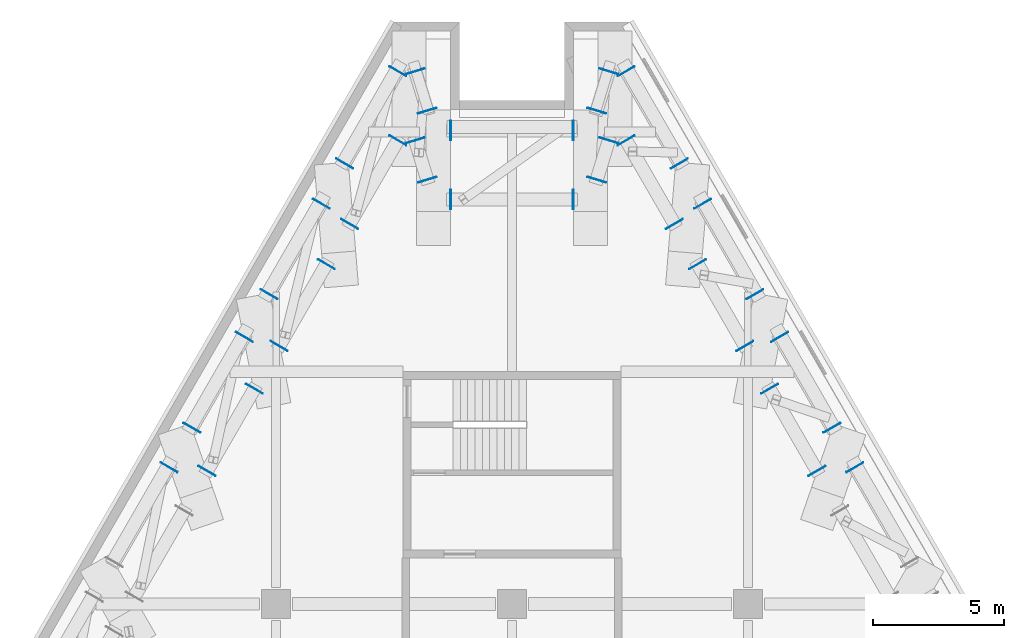
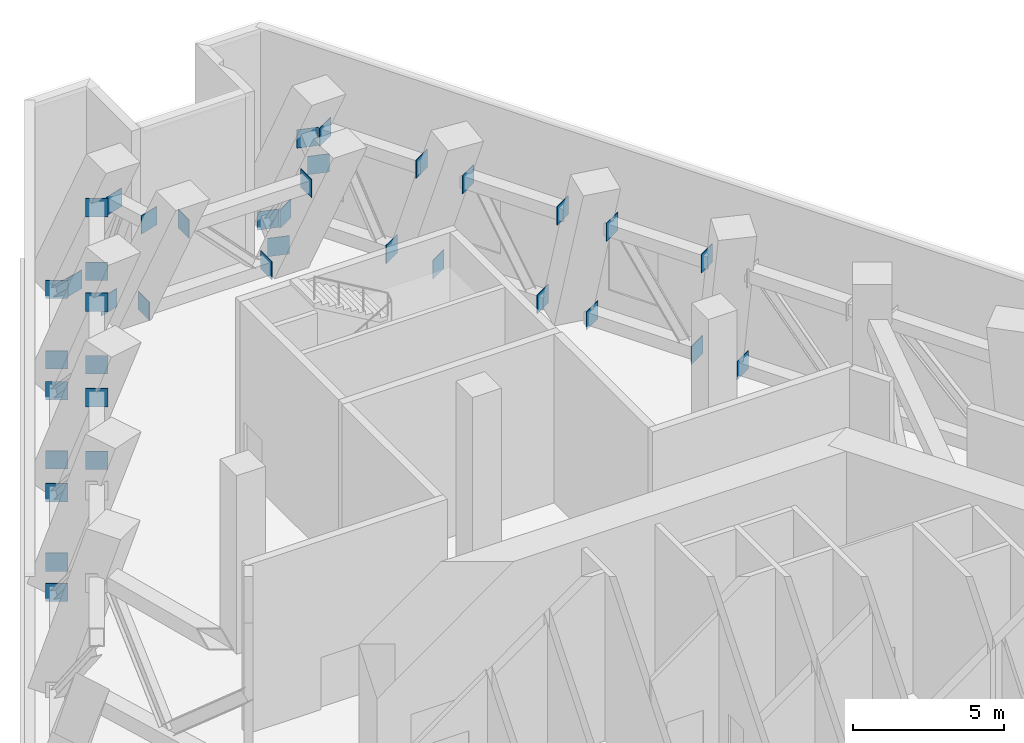
# One storey, part 12 of 13: 38 discrete accessories.
"""IFC4 building model written with IfcOpenShell, lengths in metres."""

from ifc_helpers import new_model, si_unit, direction, frame, origin, origin_2d, place, context, subcontext, project, spatial, rectangle, extrude, material, layer, layer_set, type_object, element, save


model = new_model("IFC4")

# Units and contexts
model_context = context("Model", 3, precision=1e-05, world=origin(), true_north=direction((0.0, 1.0)))
body_context = subcontext(model_context, "Body", "Model", "MODEL_VIEW")
ifc_project = project(units=[si_unit("LENGTHUNIT", "METRE"), si_unit("AREAUNIT", "SQUARE_METRE"), si_unit("VOLUMEUNIT", "CUBIC_METRE"), si_unit("PLANEANGLEUNIT", "RADIAN"), si_unit("MASSUNIT", "GRAM", prefix="KILO")], contexts=[model_context])

# Site, building, storey
site_placement = place(None, origin())
site = spatial("IfcSite", under=ifc_project, at=site_placement, CompositionType="ELEMENT")
building_placement = place(site_placement, origin())
building = spatial("IfcBuilding", under=site, at=building_placement, Name="Fogline Exchange Tower", CompositionType="ELEMENT")
storey_placement = place(building_placement, frame((0.0, 0.0, 174.89990234375)))
storey = spatial("IfcBuildingStorey", under=building, at=storey_placement, Name="L39", CompositionType="ELEMENT", Elevation=174.89990234375)

# Discrete accessories
ifc_material = material(Name="Steel Q355B", Category="steel")
ifc_layer = layer(ifc_material, 0.02490234375)
ifc_layer_set = layer_set([ifc_layer], Name="BE02")
discrete_accessory_type = type_object("IfcDiscreteAccessoryType", Name="BE02", PredefinedType="USERDEFINED", material=ifc_layer_set)
for number, where, z_axis, x_axis, name in (
    (1, (13.0771484375, 32.206298828125, -0.1201171875), (0.0, 0.0, 1.0), (-0.5, 0.866025403784, 0.0), "Belt truss chord end plate BT12-1-BC"),
    (2, (12.204833984375, 33.71728515625, -0.1201171875), (0.0, 0.0, 1.0), (0.5, -0.866025403784, 0.0), "Belt truss chord end plate BT13-1-BC"),
    (3, (10.205810546875, 37.179443359375, -0.1201171875), (0.0, 0.0, 1.0), (-0.5, 0.866025403784, 0.0), "Belt truss chord end plate BT13-1-BC"),
    (4, (11.634521484375, 32.0712890625, 4.7802734375), (0.0, 0.0, 1.0), (0.5, -0.866025403784, 0.0), "Belt truss chord end plate BT13-1-TC"),
    (5, (9.82568359375, 35.2041015625, 4.7802734375), (0.0, 0.0, 1.0), (-0.5, 0.866025403784, 0.0), "Belt truss chord end plate BT13-1-TC"),
    (6, (9.263916015625, 38.81103515625, -0.1201171875), (0.0, 0.0, 1.0), (0.5, -0.866025403784, 0.0), "Belt truss chord end plate BT14-1-BC"),
    (7, (7.272216796875, 42.2607421875, -0.1201171875), (0.0, 0.0, 1.0), (-0.5, 0.866025403784, 0.0), "Belt truss chord end plate BT14-1-BC"),
    (8, (8.8837890625, 36.835693359375, 4.7802734375), (0.0, 0.0, 1.0), (0.5, -0.866025403784, 0.0), "Belt truss chord end plate BT14-1-TC"),
    (9, (7.08203125, 39.956298828125, 4.7802734375), (0.0, 0.0, 1.0), (-0.5, 0.866025403784, 0.0), "Belt truss chord end plate BT14-1-TC"),
    (10, (6.38525390625, 43.796875, -0.1201171875), (0.0, 0.0, 1.0), (0.5, -0.866025403784, 0.0), "Belt truss chord end plate BT15-1-BC"),
    (11, (4.35498046875, 47.3134765625, -0.1201171875), (0.0, 0.0, 1.0), (-0.5, 0.866025403784, 0.0), "Belt truss chord end plate BT15-1-BC"),
    (12, (6.1953125, 41.4921875, 4.7802734375), (0.0, 0.0, 1.0), (0.5, -0.866025403784, 0.0), "Belt truss chord end plate BT15-1-TC"),
    (13, (4.35498046875, 44.6796875, 4.7802734375), (0.0, 0.0, 1.0), (-0.5, 0.866025403784, 0.0), "Belt truss chord end plate BT15-1-TC"),
    (14, (3.69189453125, 47.3125, -0.1201171875), (0.0, 0.0, 1.0), (0.293961920088, 0.95581713185, 0.0), "Belt truss chord end plate BT16-1-BC"),
    (15, (3.230712890625, 45.812255859375, -0.1201171875), (0.0, 0.0, 1.0), (-0.293961920088, -0.95581713185, 0.0), "Belt truss chord end plate BT16-1-BC"),
    (16, (3.69189453125, 44.6787109375, 4.7802734375), (0.0, 0.0, 1.0), (0.293961920088, 0.95581713185, 0.0), "Belt truss chord end plate BT16-1-TC"),
    (17, (3.230712890625, 43.178466796875, 4.7802734375), (0.0, 0.0, 1.0), (-0.293961920088, -0.95581713185, 0.0), "Belt truss chord end plate BT16-1-TC"),
    (18, (2.33740234375, 45.062255859375, -0.1201171875), (0.0, 0.0, 1.0), (1.0, 0.0, 0.0), "Belt truss chord end plate BT17-1-BC"),
    (19, (-2.33740234375, 45.062255859375, -0.1201171875), (0.0, 0.0, 1.0), (-1.0, 0.0, 0.0), "Belt truss chord end plate BT17-1-BC"),
    (20, (2.33740234375, 42.428466796875, 4.7802734375), (0.0, 0.0, 1.0), (1.0, 0.0, 0.0), "Belt truss chord end plate BT17-1-TC"),
    (21, (-2.33740234375, 42.428466796875, 4.7802734375), (0.0, 0.0, 1.0), (-1.0, 0.0, 0.0), "Belt truss chord end plate BT17-1-TC"),
    (22, (-3.230712890625, 45.812255859375, -0.1201171875), (0.0, 0.0, 1.0), (0.293961920088, -0.95581713185, 0.0), "Belt truss chord end plate BT18-1-BC"),
    (23, (-3.69189453125, 47.3125, -0.1201171875), (0.0, 0.0, 1.0), (-0.293961920088, 0.95581713185, 0.0), "Belt truss chord end plate BT18-1-BC"),
    (24, (-3.230712890625, 43.178466796875, 4.7802734375), (0.0, 0.0, 1.0), (0.293961920088, -0.95581713185, 0.0), "Belt truss chord end plate BT18-1-TC"),
    (25, (-3.69189453125, 44.6787109375, 4.7802734375), (0.0, 0.0, 1.0), (-0.293961920088, 0.95581713185, 0.0), "Belt truss chord end plate BT18-1-TC"),
    (26, (-4.35498046875, 47.3134765625, -0.1201171875), (0.0, 0.0, 1.0), (0.5, 0.866025403784, 0.0), "Belt truss chord end plate BT19-1-BC"),
    (27, (-6.38525390625, 43.796875, -0.1201171875), (0.0, 0.0, 1.0), (-0.5, -0.866025403784, 0.0), "Belt truss chord end plate BT19-1-BC"),
    (28, (-4.35498046875, 44.6796875, 4.7802734375), (0.0, 0.0, 1.0), (0.5, 0.866025403784, 0.0), "Belt truss chord end plate BT19-1-TC"),
    (29, (-6.1953125, 41.4921875, 4.7802734375), (0.0, 0.0, 1.0), (-0.5, -0.866025403784, 0.0), "Belt truss chord end plate BT19-1-TC"),
    (30, (-7.272216796875, 42.2607421875, -0.1201171875), (0.0, 0.0, 1.0), (0.5, 0.866025403784, 0.0), "Belt truss chord end plate BT20-1-BC"),
    (31, (-9.263916015625, 38.81103515625, -0.1201171875), (0.0, 0.0, 1.0), (-0.5, -0.866025403784, 0.0), "Belt truss chord end plate BT20-1-BC"),
    (32, (-7.08203125, 39.956298828125, 4.7802734375), (0.0, 0.0, 1.0), (0.5, 0.866025403784, 0.0), "Belt truss chord end plate BT20-1-TC"),
    (33, (-8.8837890625, 36.835693359375, 4.7802734375), (0.0, 0.0, 1.0), (-0.5, -0.866025403784, 0.0), "Belt truss chord end plate BT20-1-TC"),
    (34, (-10.205810546875, 37.179443359375, -0.1201171875), (0.0, 0.0, 1.0), (0.5, 0.866025403784, 0.0), "Belt truss chord end plate BT21-1-BC"),
    (35, (-12.204833984375, 33.71728515625, -0.1201171875), (0.0, 0.0, 1.0), (-0.5, -0.866025403784, 0.0), "Belt truss chord end plate BT21-1-BC"),
    (36, (-9.82568359375, 35.2041015625, 4.7802734375), (0.0, 0.0, 1.0), (0.5, 0.866025403784, 0.0), "Belt truss chord end plate BT21-1-TC"),
    (37, (-11.634521484375, 32.0712890625, 4.7802734375), (0.0, 0.0, 1.0), (-0.5, -0.866025403784, 0.0), "Belt truss chord end plate BT21-1-TC"),
    (38, (-13.0771484375, 32.206298828125, -0.1201171875), (0.0, 0.0, 1.0), (0.5, 0.866025403784, 0.0), "Belt truss chord end plate BT22-1-BC"),
):
    element("IfcDiscreteAccessory", number, at=place(storey_placement, frame(where, z_axis=z_axis, x_axis=x_axis)), inside=storey, type_object=discrete_accessory_type, Name=name, ObjectType="END PLATE", PredefinedType="USERDEFINED", context=body_context, shape_type="SweptSolid", body=[
        extrude(rectangle(XDim=0.02490234375, YDim=0.739990234375, at=origin_2d()), origin(), (0.0, 0.0, 1.0), 0.739990234375),
    ])

save(model, "model.ifc")
